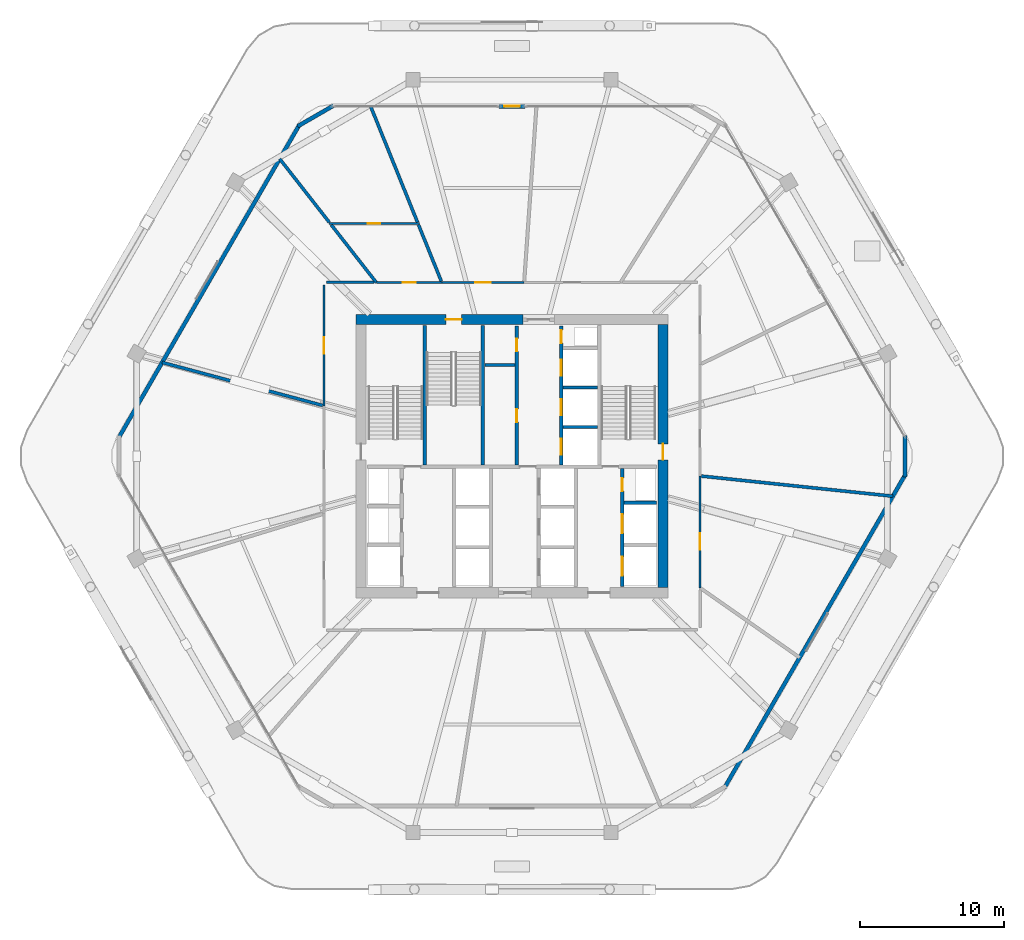
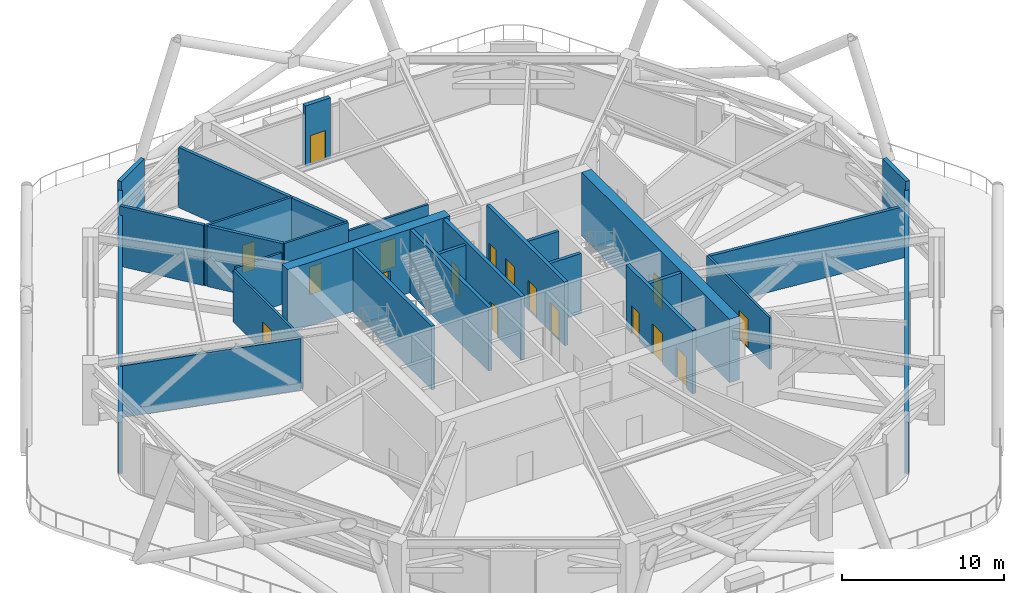
# One storey, part 14 of 20: 28 walls, 17 doors, 17 openings.
"""IFC4 building model written with IfcOpenShell, lengths in metres."""

from ifc_helpers import new_model, si_unit, direction, frame, frame_2d, origin, place, context, subcontext, project, spatial, rectangle, extrude, material, layer, layer_set, type_object, element, fill, save


model = new_model("IFC4")

# Units and contexts
model_context = context("Model", 3, precision=1e-05, world=origin(), true_north=direction((0.0, 1.0)))
body_context = subcontext(model_context, "Body", "Model", "MODEL_VIEW")
ifc_project = project(units=[si_unit("LENGTHUNIT", "METRE"), si_unit("AREAUNIT", "SQUARE_METRE"), si_unit("VOLUMEUNIT", "CUBIC_METRE"), si_unit("PLANEANGLEUNIT", "RADIAN"), si_unit("MASSUNIT", "GRAM", prefix="KILO")], contexts=[model_context])

# Site, building, storey
site_placement = place(None, origin())
site = spatial("IfcSite", under=ifc_project, at=site_placement, CompositionType="ELEMENT")
building_placement = place(site_placement, origin())
building = spatial("IfcBuilding", under=site, at=building_placement, Name="Zuhravey Tower", CompositionType="ELEMENT")
storey_placement = place(building_placement, frame((0.0, 0.0, 145.60009765625)))
storey = spatial("IfcBuildingStorey", under=building, at=storey_placement, Name="L36", CompositionType="ELEMENT", Elevation=145.60009765625)

# Wall, opening, door
ifc_material_1 = material(Name="Concrete C60/75", Category="concrete")
ifc_layer_1 = layer(ifc_material_1, 0.699951171875)
ifc_layer_set_1 = layer_set([ifc_layer_1], Name="Concrete C60/75")
wall_type_1 = type_object("IfcWallType", Name="Core Shear Wall 700", PredefinedType="SHEAR", material=ifc_layer_set_1)
wall_1_placement = place(storey_placement, frame((36.75, 41.5, 0.0), z_axis=(0.0, 0.0, 1.0), x_axis=(-1.0, 0.0, 0.0)))
wall_1 = element("IfcWall", 1, at=wall_1_placement, inside=storey, type_object=wall_type_1, Name="L36 North-West Core Shear Wall CW70", PredefinedType="SHEAR", context=body_context, shape_type="SweptSolid", body=[
    extrude(rectangle(XDim=11.60009765625, YDim=0.699951171875, at=frame_2d((5.800048828125, 0.0))), origin(), (0.0, 0.0, 1.0), 4.7998046875),
])
opening_1_placement = place(wall_1_placement, frame((4.25, 0.0, 0.0)))
opening_1 = element("IfcOpeningElement", 2, at=opening_1_placement, cuts=wall_1, Name="Opening STD1", PredefinedType="OPENING", context=body_context, shape_type="SweptSolid", body=[
    extrude(rectangle(XDim=1.10009765625, YDim=2.14990234375, at=frame_2d((0.550048828125, 1.074951171875))), frame((0.0, 0.362060546875, 0.0), z_axis=(0.0, -1.0, 0.0), x_axis=(1.0, 0.0, 0.0)), (0.0, 0.0, 1.0), 0.723876953125),
])
ifc_material_2 = material(Name="Galvanised fire-rated steel leaf", Category="steel")
door_type_1 = type_object("IfcDoorType", Name="Protected Stair Fire Door 1100x2150", OperationType="NOTDEFINED", PredefinedType="USERDEFINED", material=ifc_material_2)
door_1_placement = place(opening_1_placement, origin())
door_1 = element("IfcDoor", 3, at=door_1_placement, inside=storey, type_object=door_type_1, Name="L36 Stair ST3 Door", ObjectType="EXITDOOR", OperationType="SINGLE_SWING_RIGHT", OverallHeight=2.14990234375, OverallWidth=1.10009765625, PredefinedType="USERDEFINED", context=body_context, shape_type="SweptSolid", body=[
    extrude(rectangle(XDim=1.10009765625, YDim=2.14990234375, at=frame_2d((0.550048828125, 1.074951171875))), frame((0.0, 0.02490234375, 0.0), z_axis=(0.0, -1.0, 0.0), x_axis=(1.0, 0.0, 0.0)), (0.0, 0.0, 1.0), 0.050048828125),
])
fill(opening_1, door_1)

wall_2_placement = place(storey_placement, frame((46.5, 22.85009765625, 0.0), z_axis=(0.0, 0.0, 1.0), x_axis=(0.0, 1.0, 0.0)))
wall_2 = element("IfcWall", 4, at=wall_2_placement, inside=storey, type_object=wall_type_1, Name="L36 East Core Shear Wall CW70", PredefinedType="SHEAR", context=body_context, shape_type="SweptSolid", body=[
    extrude(rectangle(XDim=18.2998046875, YDim=0.699951171875, at=frame_2d((9.14990234375, 0.0))), origin(), (0.0, 0.0, 1.0), 4.7998046875),
])
opening_2_placement = place(wall_2_placement, frame((8.89990234375, 0.0, 0.0)))
opening_2 = element("IfcOpeningElement", 5, at=opening_2_placement, cuts=wall_2, Name="Opening STD1", PredefinedType="OPENING", context=body_context, shape_type="SweptSolid", body=[
    extrude(rectangle(XDim=1.10009765625, YDim=2.14990234375, at=frame_2d((0.550048828125, 1.074951171875))), frame((0.0, 0.362060546875, 0.0), z_axis=(0.0, -1.0, 0.0), x_axis=(1.0, 0.0, 0.0)), (0.0, 0.0, 1.0), 0.723876953125),
])
door_2_placement = place(opening_2_placement, origin())
door_2 = element("IfcDoor", 6, at=door_2_placement, inside=storey, type_object=door_type_1, Name="L36 Stair ST2 Door", ObjectType="EXITDOOR", OperationType="SINGLE_SWING_LEFT", OverallHeight=2.14990234375, OverallWidth=1.10009765625, PredefinedType="USERDEFINED", context=body_context, shape_type="SweptSolid", body=[
    extrude(rectangle(XDim=1.10009765625, YDim=2.14990234375, at=frame_2d((0.550048828125, 1.074951171875))), frame((0.0, 0.02490234375, 0.0), z_axis=(0.0, -1.0, 0.0), x_axis=(1.0, 0.0, 0.0)), (0.0, 0.0, 1.0), 0.050048828125),
])
fill(opening_2, door_2)

ifc_material_3 = material(Name="Gypsum fire-rated stud partition")
ifc_layer_2 = layer(ifc_material_3, 0.159912109375)
ifc_layer_set_2 = layer_set([ifc_layer_2], Name="Gypsum fire-rated stud partition")
wall_type_2 = type_object("IfcWallType", Name="Corridor Fire Partition 160", PredefinedType="PARTITIONING", material=ifc_layer_set_2)
wall_3_placement = place(storey_placement, frame((36.8447265625, 44.080078125, 0.0), z_axis=(0.0, 0.0, 1.0), x_axis=(-1.0, 0.0, 0.0)))
wall_3 = element("IfcWall", 7, at=wall_3_placement, inside=storey, type_object=wall_type_2, Name="L36 IW16 Partition 020", PredefinedType="PARTITIONING", context=body_context, shape_type="SweptSolid", body=[
    extrude(rectangle(XDim=5.725341796875, YDim=0.159912109375, at=frame_2d((2.86279296875, 0.0))), origin(), (0.0, 0.0, 1.0), 3.89990234375),
])
opening_3_placement = place(wall_3_placement, frame((2.312744140625, 0.0, 0.0)))
opening_3 = element("IfcOpeningElement", 8, at=opening_3_placement, cuts=wall_3, Name="Opening STD1", PredefinedType="OPENING", context=body_context, shape_type="SweptSolid", body=[
    extrude(rectangle(XDim=1.10009765625, YDim=2.14990234375, at=frame_2d((0.550048828125, 1.074951171875))), frame((0.0, 0.092041015625, 0.0), z_axis=(0.0, -1.0, 0.0), x_axis=(1.0, 0.0, 0.0)), (0.0, 0.0, 1.0), 0.183837890625),
])
door_3_placement = place(opening_3_placement, frame((1.10009765625, 0.0, 0.0), z_axis=(0.0, 0.0, 1.0), x_axis=(-1.0, 0.0, 0.0)))
door_3 = element("IfcDoor", 9, at=door_3_placement, inside=storey, type_object=door_type_1, Name="L36 Door 020.1", ObjectType="EXITDOOR", OperationType="SINGLE_SWING_LEFT", OverallHeight=2.14990234375, OverallWidth=1.10009765625, PredefinedType="USERDEFINED", context=body_context, shape_type="SweptSolid", body=[
    extrude(rectangle(XDim=1.10009765625, YDim=2.14990234375, at=frame_2d((0.550048828125, 1.074951171875))), frame((0.0, 0.02490234375, 0.0), z_axis=(0.0, -1.0, 0.0), x_axis=(1.0, 0.0, 0.0)), (0.0, 0.0, 1.0), 0.050048828125),
])
fill(opening_3, door_3)

wall_4_placement = place(storey_placement, frame((23.25732421875, 48.179931640625, 0.0), z_axis=(0.0, 0.0, 1.0), x_axis=(1.0, 0.0, 0.0)))
wall_4 = element("IfcWall", 10, at=wall_4_placement, inside=storey, type_object=wall_type_2, Name="L36 IW16 Partition 021", PredefinedType="PARTITIONING", context=body_context, shape_type="SweptSolid", body=[
    extrude(rectangle(XDim=6.291748046875, YDim=0.159912109375, at=frame_2d((3.14599609375, 0.0))), origin(), (0.0, 0.0, 1.0), 4.5498046875),
])
opening_4_placement = place(wall_4_placement, frame((2.69580078125, 0.0, 0.0)))
opening_4 = element("IfcOpeningElement", 11, at=opening_4_placement, cuts=wall_4, Name="Opening RSD1", PredefinedType="OPENING", context=body_context, shape_type="SweptSolid", body=[
    extrude(rectangle(XDim=0.89990234375, YDim=2.10009765625, at=frame_2d((0.449951171875, 1.050048828125))), frame((0.0, 0.092041015625, 0.0), z_axis=(0.0, -1.0, 0.0), x_axis=(1.0, 0.0, 0.0)), (0.0, 0.0, 1.0), 0.183837890625),
])
ifc_material_4 = material(Name="Galvanised fire-rated steel access leaf", Category="steel")
door_type_2 = type_object("IfcDoorType", Name="Riser & Shaft Access Fire Door 900x2100", OperationType="NOTDEFINED", PredefinedType="DOOR", material=ifc_material_4)
door_4_placement = place(opening_4_placement, origin())
door_4 = element("IfcDoor", 12, at=door_4_placement, inside=storey, type_object=door_type_2, Name="L36 Door 021.1", OperationType="SINGLE_SWING_RIGHT", OverallHeight=2.10009765625, OverallWidth=0.89990234375, PredefinedType="DOOR", context=body_context, shape_type="SweptSolid", body=[
    extrude(rectangle(XDim=0.89990234375, YDim=2.10009765625, at=frame_2d((0.449951171875, 1.050048828125))), frame((0.0, 0.02490234375, 0.0), z_axis=(0.0, -1.0, 0.0), x_axis=(1.0, 0.0, 0.0)), (0.0, 0.0, 1.0), 0.050048828125),
])
fill(opening_4, door_4)

wall_5_placement = place(storey_placement, frame((31.119384765625, 44.080078125, 0.0), z_axis=(0.0, 0.0, 1.0), x_axis=(-1.0, 0.0, 0.0)))
wall_5 = element("IfcWall", 13, at=wall_5_placement, inside=storey, type_object=wall_type_2, Name="L36 IW16 Partition 022", PredefinedType="PARTITIONING", context=body_context, shape_type="SweptSolid", body=[
    extrude(rectangle(XDim=4.557373046875, YDim=0.159912109375, at=frame_2d((2.27880859375, 0.0))), origin(), (0.0, 0.0, 1.0), 4.5498046875),
])
opening_5_placement = place(wall_5_placement, frame((1.82861328125, 0.0, 0.0)))
opening_5 = element("IfcOpeningElement", 14, at=opening_5_placement, cuts=wall_5, Name="Opening RSD1", PredefinedType="OPENING", context=body_context, shape_type="SweptSolid", body=[
    extrude(rectangle(XDim=0.89990234375, YDim=2.10009765625, at=frame_2d((0.449951171875, 1.050048828125))), frame((0.0, 0.092041015625, 0.0), z_axis=(0.0, -1.0, 0.0), x_axis=(1.0, 0.0, 0.0)), (0.0, 0.0, 1.0), 0.183837890625),
])
door_5_placement = place(opening_5_placement, frame((0.89990234375, 0.0, 0.0), z_axis=(0.0, 0.0, 1.0), x_axis=(-1.0, 0.0, 0.0)))
door_5 = element("IfcDoor", 15, at=door_5_placement, inside=storey, type_object=door_type_2, Name="L36 Door 022.1", OperationType="SINGLE_SWING_LEFT", OverallHeight=2.10009765625, OverallWidth=0.89990234375, PredefinedType="DOOR", context=body_context, shape_type="SweptSolid", body=[
    extrude(rectangle(XDim=0.89990234375, YDim=2.10009765625, at=frame_2d((0.449951171875, 1.050048828125))), frame((0.0, 0.02490234375, 0.0), z_axis=(0.0, -1.0, 0.0), x_axis=(1.0, 0.0, 0.0)), (0.0, 0.0, 1.0), 0.050048828125),
])
fill(opening_5, door_5)

wall_6_placement = place(storey_placement, frame((22.919921875, 43.89990234375, 0.0), z_axis=(0.0, 0.0, 1.0), x_axis=(0.0, -1.0, 0.0)))
wall_6 = element("IfcWall", 16, at=wall_6_placement, inside=storey, type_object=wall_type_2, Name="L36 IW16 Partition 023", PredefinedType="PARTITIONING", context=body_context, shape_type="SweptSolid", body=[
    extrude(rectangle(XDim=8.39501953125, YDim=0.159912109375, at=frame_2d((4.197509765625, 0.0))), origin(), (0.0, 0.0, 1.0), 3.89990234375),
])
opening_6_placement = place(wall_6_placement, frame((3.62255859375, 0.0, 0.0)))
opening_6 = element("IfcOpeningElement", 17, at=opening_6_placement, cuts=wall_6, Name="Opening CLD1", PredefinedType="OPENING", context=body_context, shape_type="SweptSolid", body=[
    extrude(rectangle(XDim=1.14990234375, YDim=2.199951171875, at=frame_2d((0.574951171875, 1.10009765625))), frame((0.0, 0.092041015625, 0.0), z_axis=(0.0, -1.0, 0.0), x_axis=(1.0, 0.0, 0.0)), (0.0, 0.0, 1.0), 0.183837890625),
])
ifc_material_5 = material(Name="Acoustic timber leaf with vision lite", Category="wood")
door_type_3 = type_object("IfcDoorType", Name="Classroom Acoustic Door 1150x2200", OperationType="NOTDEFINED", PredefinedType="DOOR", material=ifc_material_5)
door_6_placement = place(opening_6_placement, frame((1.14990234375, 0.0, 0.0), z_axis=(0.0, 0.0, 1.0), x_axis=(-1.0, 0.0, 0.0)))
door_6 = element("IfcDoor", 18, at=door_6_placement, inside=storey, type_object=door_type_3, Name="L36 Door 023.1", OperationType="SINGLE_SWING_RIGHT", OverallHeight=2.199951171875, OverallWidth=1.14990234375, PredefinedType="DOOR", context=body_context, shape_type="SweptSolid", body=[
    extrude(rectangle(XDim=1.14990234375, YDim=2.199951171875, at=frame_2d((0.574951171875, 1.10009765625))), frame((0.0, 0.02490234375, 0.0), z_axis=(0.0, -1.0, 0.0), x_axis=(1.0, 0.0, 0.0)), (0.0, 0.0, 1.0), 0.050048828125),
])
fill(opening_6, door_6)

wall_7_placement = place(storey_placement, frame((49.080078125, 22.84130859375, 0.0), z_axis=(0.0, 0.0, 1.0), x_axis=(0.0, 1.0, 0.0)))
wall_7 = element("IfcWall", 19, at=wall_7_placement, inside=storey, type_object=wall_type_2, Name="L36 IW16 Partition 029", PredefinedType="PARTITIONING", context=body_context, shape_type="SweptSolid", body=[
    extrude(rectangle(XDim=7.783935546875, YDim=0.159912109375, at=frame_2d((3.89208984375, 0.0))), origin(), (0.0, 0.0, 1.0), 3.89990234375),
])
opening_7_placement = place(wall_7_placement, frame((2.656982421875, 0.0, 0.0)))
opening_7 = element("IfcOpeningElement", 20, at=opening_7_placement, cuts=wall_7, Name="Opening CLD1", PredefinedType="OPENING", context=body_context, shape_type="SweptSolid", body=[
    extrude(rectangle(XDim=1.14990234375, YDim=2.199951171875, at=frame_2d((0.574951171875, 1.10009765625))), frame((0.0, 0.092041015625, 0.0), z_axis=(0.0, -1.0, 0.0), x_axis=(1.0, 0.0, 0.0)), (0.0, 0.0, 1.0), 0.183837890625),
])
door_7_placement = place(opening_7_placement, frame((1.14990234375, 0.0, 0.0), z_axis=(0.0, 0.0, 1.0), x_axis=(-1.0, 0.0, 0.0)))
door_7 = element("IfcDoor", 21, at=door_7_placement, inside=storey, type_object=door_type_3, Name="L36 Door 029.1", OperationType="SINGLE_SWING_RIGHT", OverallHeight=2.199951171875, OverallWidth=1.14990234375, PredefinedType="DOOR", context=body_context, shape_type="SweptSolid", body=[
    extrude(rectangle(XDim=1.14990234375, YDim=2.199951171875, at=frame_2d((0.574951171875, 1.10009765625))), frame((0.0, 0.02490234375, 0.0), z_axis=(0.0, -1.0, 0.0), x_axis=(1.0, 0.0, 0.0)), (0.0, 0.0, 1.0), 0.050048828125),
])
fill(opening_7, door_7)

# Walls
wall_8_placement = place(storey_placement, frame((26.396728515625, 44.10009765625, 0.0), z_axis=(0.0, 0.0, 1.0), x_axis=(-1.0, 0.0, 0.0)))
element("IfcWall", 22, at=wall_8_placement, inside=storey, type_object=wall_type_2, Name="L36 IW16 Partition 054", PredefinedType="PARTITIONING", context=body_context, shape_type="SweptSolid", body=[
    extrude(rectangle(XDim=3.296630859375, YDim=0.159912109375, at=frame_2d((1.6484375, 0.0))), origin(), (0.0, 0.0, 1.0), 3.89990234375),
])
ifc_material_6 = material(Name="Precast concrete C40/50", Category="concrete")
ifc_layer_3 = layer(ifc_material_6, 0.280029296875)
ifc_layer_set_3 = layer_set([ifc_layer_3], Name="Precast concrete C40/50")
wall_type_3 = type_object("IfcWallType", Name="Crown Architectural Wall 280", PredefinedType="SOLIDWALL", material=ifc_layer_set_3)
for number, where, z_axis, x_axis, name in (
    (23, (63.372802734375, 30.744873046875, 0.0), (0.0, 0.0, 1.0), (-0.499999773564, -0.866025534517, 0.0), "L36 Face 6 Plant Enclosure Wall EW28"),
    (24, (8.627197265625, 33.255126953125, 0.0), (0.0, 0.0, 1.0), (0.499999773564, 0.866025534517, 0.0), "L36 Face 3 Plant Enclosure Wall EW28"),
):
    element("IfcWall", number, at=place(storey_placement, frame(where, z_axis=z_axis, x_axis=x_axis)), inside=storey, type_object=wall_type_3, Name=name, PredefinedType="SOLIDWALL", context=body_context, shape_type="SweptSolid", body=[
        extrude(rectangle(XDim=25.19873046875, YDim=0.280029296875, at=frame_2d((12.599365234375, 0.0))), origin(), (0.0, 0.0, 1.0), 3.869873046875),
    ])
wall_9_placement = place(storey_placement, frame((21.0966796875, 54.947998046875, 0.0), z_axis=(0.0, 0.0, 1.0), x_axis=(0.866011042223, 0.500024874128, 0.0)))
element("IfcWall", 25, at=wall_9_placement, inside=storey, type_object=wall_type_3, Name="L36 Rounded Corner Closure Wall EW28-08", PredefinedType="SOLIDWALL", context=body_context, shape_type="SweptSolid", body=[
    extrude(rectangle(XDim=2.864990234375, YDim=0.280029296875, at=frame_2d((1.4326171875, 0.0))), origin(), (0.0, 0.0, 1.0), 4.5498046875),
])

# Wall, opening, door
wall_10_placement = place(storey_placement, frame((35.10498046875, 56.3330078125, 0.0), z_axis=(0.0, 0.0, 1.0), x_axis=(1.0, 0.0, 0.0)))
wall_10 = element("IfcWall", 26, at=wall_10_placement, inside=storey, type_object=wall_type_3, Name="L36 Face 2 Facade Pier EW28-1", PredefinedType="SOLIDWALL", context=body_context, shape_type="SweptSolid", body=[
    extrude(rectangle(XDim=1.7900390625, YDim=0.280029296875, at=frame_2d((0.89501953125, 0.0))), origin(), (0.0, 0.0, 1.0), 4.5498046875),
])
opening_8_placement = place(wall_10_placement, frame((0.344970703125, 0.0, 0.0)))
opening_8 = element("IfcOpeningElement", 27, at=opening_8_placement, cuts=wall_10, Name="Opening BLD1", PredefinedType="OPENING", context=body_context, shape_type="SweptSolid", body=[
    extrude(rectangle(XDim=1.10009765625, YDim=2.199951171875, at=frame_2d((0.550048828125, 1.10009765625))), frame((0.0, 0.152099609375, 0.0), z_axis=(0.0, -1.0, 0.0), x_axis=(1.0, 0.0, 0.0)), (0.0, 0.0, 1.0), 0.303955078125),
])
ifc_material_7 = material(Name="Thermally broken aluminium and low-E glass", Category="aluminium")
door_type_4 = type_object("IfcDoorType", Name="Balcony & Sky-Tray Glazed Door 1100x2200", OperationType="NOTDEFINED", PredefinedType="DOOR", material=ifc_material_7)
door_8_placement = place(opening_8_placement, frame((1.10009765625, 0.0, 0.0), z_axis=(0.0, 0.0, 1.0), x_axis=(-1.0, 0.0, 0.0)))
door_8 = element("IfcDoor", 28, at=door_8_placement, inside=storey, type_object=door_type_4, Name="L36 Fire Safety Refuge Area North Terrace Door", OperationType="SINGLE_SWING_LEFT", OverallHeight=2.199951171875, OverallWidth=1.10009765625, PredefinedType="DOOR", context=body_context, shape_type="SweptSolid", body=[
    extrude(rectangle(XDim=1.10009765625, YDim=2.199951171875, at=frame_2d((0.550048828125, 1.10009765625))), frame((0.0, 0.02490234375, 0.0), z_axis=(0.0, -1.0, 0.0), x_axis=(1.0, 0.0, 0.0)), (0.0, 0.0, 1.0), 0.050048828125),
])
fill(opening_8, door_8)

# Walls
wall_11_placement = place(storey_placement, frame((63.3251953125, 33.4326171875, 0.0), z_axis=(0.0, 0.0, 1.0), x_axis=(0.0, -1.0, 0.0)))
element("IfcWall", 29, at=wall_11_placement, inside=storey, type_object=wall_type_3, Name="L36 Rounded Corner Closure Wall EW28-12", PredefinedType="SOLIDWALL", context=body_context, shape_type="SweptSolid", body=[
    extrude(rectangle(XDim=2.865234375, YDim=0.280029296875, at=frame_2d((1.4326171875, 0.0))), origin(), (0.0, 0.0, 1.0), 4.5498046875),
])
ifc_material_8 = material(Name="Concrete C50/60", Category="concrete")
ifc_layer_4 = layer(ifc_material_8, 0.25)
ifc_layer_set_4 = layer_set([ifc_layer_4], Name="Concrete C50/60")
wall_type_4 = type_object("IfcWallType", Name="Firefighting Shaft & Stair Wall 250", PredefinedType="SOLIDWALL", material=ifc_layer_set_4)
for number, where, z_axis, x_axis, name in (
    (30, (29.925048828125, 31.39990234375, 0.0), (0.0, 0.0, 1.0), (0.0, 1.0, 0.0), "L36 FW25 Shaft Wall 004"),
    (31, (33.97509765625, 31.39990234375, 0.0), (0.0, 0.0, 1.0), (0.0, 1.0, 0.0), "L36 FW25 Shaft Wall 005"),
):
    element("IfcWall", number, at=place(storey_placement, frame(where, z_axis=z_axis, x_axis=x_axis)), inside=storey, type_object=wall_type_4, Name=name, PredefinedType="SOLIDWALL", context=body_context, shape_type="SweptSolid", body=[
        extrude(rectangle(XDim=9.7001953125, YDim=0.25, at=frame_2d((4.85009765625, 0.0))), origin(), (0.0, 0.0, 1.0), 4.7998046875),
    ])

# Wall, openings, doors
wall_12_placement = place(storey_placement, frame((36.324951171875, 31.39990234375, 0.0), z_axis=(0.0, 0.0, 1.0), x_axis=(0.0, 1.0, 0.0)))
wall_12 = element("IfcWall", 32, at=wall_12_placement, inside=storey, type_object=wall_type_4, Name="L36 FW25 Shaft Wall 007", PredefinedType="SOLIDWALL", context=body_context, shape_type="SweptSolid", body=[
    extrude(rectangle(XDim=9.650146484375, YDim=0.25, at=frame_2d((4.8251953125, 0.0))), origin(), (0.0, 0.0, 1.0), 4.7998046875),
])
opening_9_placement = place(wall_12_placement, frame((2.965087890625, 0.0, 0.0)))
opening_9 = element("IfcOpeningElement", 33, at=opening_9_placement, cuts=wall_12, Name="Opening RSD1", PredefinedType="OPENING", context=body_context, shape_type="SweptSolid", body=[
    extrude(rectangle(XDim=0.89990234375, YDim=2.10009765625, at=frame_2d((0.449951171875, 1.050048828125))), frame((0.0, 0.136962890625, 0.0), z_axis=(0.0, -1.0, 0.0), x_axis=(1.0, 0.0, 0.0)), (0.0, 0.0, 1.0), 0.27392578125),
])
opening_10_placement = place(wall_12_placement, frame((7.885009765625, 0.0, 0.0)))
opening_10 = element("IfcOpeningElement", 34, at=opening_10_placement, cuts=wall_12, Name="Opening RSD1", PredefinedType="OPENING", context=body_context, shape_type="SweptSolid", body=[
    extrude(rectangle(XDim=0.89990234375, YDim=2.10009765625, at=frame_2d((0.449951171875, 1.050048828125))), frame((0.0, 0.136962890625, 0.0), z_axis=(0.0, -1.0, 0.0), x_axis=(1.0, 0.0, 0.0)), (0.0, 0.0, 1.0), 0.27392578125),
])
door_9_placement = place(opening_9_placement, origin())
door_9 = element("IfcDoor", 35, at=door_9_placement, inside=storey, type_object=door_type_2, Name="L36 Equipment and Refuse Store Door", OperationType="SINGLE_SWING_RIGHT", OverallHeight=2.10009765625, OverallWidth=0.89990234375, PredefinedType="DOOR", context=body_context, shape_type="SweptSolid", body=[
    extrude(rectangle(XDim=0.89990234375, YDim=2.10009765625, at=frame_2d((0.449951171875, 1.050048828125))), frame((0.0, 0.02490234375, 0.0), z_axis=(0.0, -1.0, 0.0), x_axis=(1.0, 0.0, 0.0)), (0.0, 0.0, 1.0), 0.050048828125),
])
fill(opening_9, door_9)
door_10_placement = place(opening_10_placement, origin())
door_10 = element("IfcDoor", 36, at=door_10_placement, inside=storey, type_object=door_type_2, Name="L36 BMS Control Room Door", OperationType="SINGLE_SWING_LEFT", OverallHeight=2.10009765625, OverallWidth=0.89990234375, PredefinedType="DOOR", context=body_context, shape_type="SweptSolid", body=[
    extrude(rectangle(XDim=0.89990234375, YDim=2.10009765625, at=frame_2d((0.449951171875, 1.050048828125))), frame((0.0, 0.02490234375, 0.0), z_axis=(0.0, -1.0, 0.0), x_axis=(1.0, 0.0, 0.0)), (0.0, 0.0, 1.0), 0.050048828125),
])
fill(opening_10, door_10)

wall_13_placement = place(storey_placement, frame((39.425048828125, 31.39990234375, 0.0), z_axis=(0.0, 0.0, 1.0), x_axis=(0.0, 1.0, 0.0)))
wall_13 = element("IfcWall", 37, at=wall_13_placement, inside=storey, type_object=wall_type_4, Name="L36 FW25 Shaft Wall 008", PredefinedType="SOLIDWALL", context=body_context, shape_type="SweptSolid", body=[
    extrude(rectangle(XDim=9.650146484375, YDim=0.25, at=frame_2d((4.8251953125, 0.0))), origin(), (0.0, 0.0, 1.0), 4.7998046875),
])
opening_11_placement = place(wall_13_placement, frame((0.699951171875, 0.0, 0.0)))
opening_11 = element("IfcOpeningElement", 38, at=opening_11_placement, cuts=wall_13, Name="Opening LD1", PredefinedType="OPENING", context=body_context, shape_type="SweptSolid", body=[
    extrude(rectangle(XDim=1.10009765625, YDim=2.199951171875, at=frame_2d((0.550048828125, 1.10009765625))), frame((0.0, 0.136962890625, 0.0), z_axis=(0.0, -1.0, 0.0), x_axis=(1.0, 0.0, 0.0)), (0.0, 0.0, 1.0), 0.27392578125),
])
opening_12_placement = place(wall_13_placement, frame((3.449951171875, 0.0, 0.0)))
opening_12 = element("IfcOpeningElement", 39, at=opening_12_placement, cuts=wall_13, Name="Opening LD1", PredefinedType="OPENING", context=body_context, shape_type="SweptSolid", body=[
    extrude(rectangle(XDim=1.10009765625, YDim=2.199951171875, at=frame_2d((0.550048828125, 1.10009765625))), frame((0.0, 0.136962890625, 0.0), z_axis=(0.0, -1.0, 0.0), x_axis=(1.0, 0.0, 0.0)), (0.0, 0.0, 1.0), 0.27392578125),
])
opening_13_placement = place(wall_13_placement, frame((6.199951171875, 0.0, 0.0)))
opening_13 = element("IfcOpeningElement", 40, at=opening_13_placement, cuts=wall_13, Name="Opening LD1", PredefinedType="OPENING", context=body_context, shape_type="SweptSolid", body=[
    extrude(rectangle(XDim=1.10009765625, YDim=2.199951171875, at=frame_2d((0.550048828125, 1.10009765625))), frame((0.0, 0.136962890625, 0.0), z_axis=(0.0, -1.0, 0.0), x_axis=(1.0, 0.0, 0.0)), (0.0, 0.0, 1.0), 0.27392578125),
])
opening_14_placement = place(wall_13_placement, frame((8.469970703125, 0.0, 0.0)))
opening_14 = element("IfcOpeningElement", 41, at=opening_14_placement, cuts=wall_13, Name="Opening RSD1", PredefinedType="OPENING", context=body_context, shape_type="SweptSolid", body=[
    extrude(rectangle(XDim=0.89990234375, YDim=2.10009765625, at=frame_2d((0.449951171875, 1.050048828125))), frame((0.0, 0.136962890625, 0.0), z_axis=(0.0, -1.0, 0.0), x_axis=(1.0, 0.0, 0.0)), (0.0, 0.0, 1.0), 0.27392578125),
])
ifc_material_9 = material(Name="Brushed stainless steel", Category="steel")
door_type_5 = type_object("IfcDoorType", Name="Lift Landing Sliding Door 1100x2200", OperationType="DOUBLE_DOOR_SLIDING", PredefinedType="DOOR", material=ifc_material_9)
door_11_placement = place(opening_11_placement, origin())
door_11 = element("IfcDoor", 42, at=door_11_placement, inside=storey, type_object=door_type_5, Name="L36 Lift PL7 Landing Door", OperationType="DOUBLE_DOOR_SLIDING", OverallHeight=2.199951171875, OverallWidth=1.10009765625, PredefinedType="DOOR", context=body_context, shape_type="SweptSolid", body=[
    extrude(rectangle(XDim=1.10009765625, YDim=2.199951171875, at=frame_2d((0.550048828125, 1.10009765625))), frame((0.0, 0.02490234375, 0.0), z_axis=(0.0, -1.0, 0.0), x_axis=(1.0, 0.0, 0.0)), (0.0, 0.0, 1.0), 0.050048828125),
])
fill(opening_11, door_11)
door_12_placement = place(opening_12_placement, origin())
door_12 = element("IfcDoor", 43, at=door_12_placement, inside=storey, type_object=door_type_5, Name="L36 Lift PL8 Landing Door", OperationType="DOUBLE_DOOR_SLIDING", OverallHeight=2.199951171875, OverallWidth=1.10009765625, PredefinedType="DOOR", context=body_context, shape_type="SweptSolid", body=[
    extrude(rectangle(XDim=1.10009765625, YDim=2.199951171875, at=frame_2d((0.550048828125, 1.10009765625))), frame((0.0, 0.02490234375, 0.0), z_axis=(0.0, -1.0, 0.0), x_axis=(1.0, 0.0, 0.0)), (0.0, 0.0, 1.0), 0.050048828125),
])
fill(opening_12, door_12)
door_13_placement = place(opening_13_placement, origin())
door_13 = element("IfcDoor", 44, at=door_13_placement, inside=storey, type_object=door_type_5, Name="L36 Lift PL9 Landing Door", OperationType="DOUBLE_DOOR_SLIDING", OverallHeight=2.199951171875, OverallWidth=1.10009765625, PredefinedType="DOOR", context=body_context, shape_type="SweptSolid", body=[
    extrude(rectangle(XDim=1.10009765625, YDim=2.199951171875, at=frame_2d((0.550048828125, 1.10009765625))), frame((0.0, 0.02490234375, 0.0), z_axis=(0.0, -1.0, 0.0), x_axis=(1.0, 0.0, 0.0)), (0.0, 0.0, 1.0), 0.050048828125),
])
fill(opening_13, door_13)
door_14_placement = place(opening_14_placement, origin())
door_14 = element("IfcDoor", 45, at=door_14_placement, inside=storey, type_object=door_type_2, Name="L36 North Riser Door", OperationType="SINGLE_SWING_RIGHT", OverallHeight=2.10009765625, OverallWidth=0.89990234375, PredefinedType="DOOR", context=body_context, shape_type="SweptSolid", body=[
    extrude(rectangle(XDim=0.89990234375, YDim=2.10009765625, at=frame_2d((0.449951171875, 1.050048828125))), frame((0.0, 0.02490234375, 0.0), z_axis=(0.0, -1.0, 0.0), x_axis=(1.0, 0.0, 0.0)), (0.0, 0.0, 1.0), 0.050048828125),
])
fill(opening_14, door_14)

# Wall
wall_14_placement = place(storey_placement, frame((43.800048828125, 28.77490234375, 0.0), z_axis=(0.0, 0.0, 1.0), x_axis=(1.0, 0.0, 0.0)))
element("IfcWall", 46, at=wall_14_placement, inside=storey, type_object=wall_type_4, Name="L36 FW25 Shaft Wall 017", PredefinedType="SOLIDWALL", context=body_context, shape_type="SweptSolid", body=[
    extrude(rectangle(XDim=2.25, YDim=0.25, at=frame_2d((1.125, 0.0))), origin(), (0.0, 0.0, 1.0), 4.7998046875),
])

# Wall, openings, doors
wall_15_placement = place(storey_placement, frame((43.675048828125, 22.949951171875, 0.0), z_axis=(0.0, 0.0, 1.0), x_axis=(0.0, 1.0, 0.0)))
wall_15 = element("IfcWall", 47, at=wall_15_placement, inside=storey, type_object=wall_type_4, Name="L36 FW25 Shaft Wall 018", PredefinedType="SOLIDWALL", context=body_context, shape_type="SweptSolid", body=[
    extrude(rectangle(XDim=8.199951171875, YDim=0.25, at=frame_2d((4.10009765625, 0.0))), origin(), (0.0, 0.0, 1.0), 4.7998046875),
])
opening_15_placement = place(wall_15_placement, frame((0.75, 0.0, 0.0)))
opening_15 = element("IfcOpeningElement", 48, at=opening_15_placement, cuts=wall_15, Name="Opening LD2", PredefinedType="OPENING", context=body_context, shape_type="SweptSolid", body=[
    extrude(rectangle(XDim=1.300048828125, YDim=2.300048828125, at=frame_2d((0.64990234375, 1.14990234375))), frame((0.0, 0.136962890625, 0.0), z_axis=(0.0, -1.0, 0.0), x_axis=(1.0, 0.0, 0.0)), (0.0, 0.0, 1.0), 0.27392578125),
])
opening_16_placement = place(wall_15_placement, frame((3.699951171875, 0.0, 0.0)))
opening_16 = element("IfcOpeningElement", 49, at=opening_16_placement, cuts=wall_15, Name="Opening LD2", PredefinedType="OPENING", context=body_context, shape_type="SweptSolid", body=[
    extrude(rectangle(XDim=1.300048828125, YDim=2.300048828125, at=frame_2d((0.64990234375, 1.14990234375))), frame((0.0, 0.136962890625, 0.0), z_axis=(0.0, -1.0, 0.0), x_axis=(1.0, 0.0, 0.0)), (0.0, 0.0, 1.0), 0.27392578125),
])
opening_17_placement = place(wall_15_placement, frame((6.6201171875, 0.0, 0.0)))
opening_17 = element("IfcOpeningElement", 50, at=opening_17_placement, cuts=wall_15, Name="Opening RSD1", PredefinedType="OPENING", context=body_context, shape_type="SweptSolid", body=[
    extrude(rectangle(XDim=0.89990234375, YDim=2.10009765625, at=frame_2d((0.449951171875, 1.050048828125))), frame((0.0, 0.136962890625, 0.0), z_axis=(0.0, -1.0, 0.0), x_axis=(1.0, 0.0, 0.0)), (0.0, 0.0, 1.0), 0.27392578125),
])
door_type_6 = type_object("IfcDoorType", Name="Freight & Stretcher Lift Sliding Door 1300x2300", OperationType="DOUBLE_DOOR_SLIDING", PredefinedType="DOOR", material=ifc_material_9)
door_15_placement = place(opening_15_placement, origin())
door_15 = element("IfcDoor", 51, at=door_15_placement, inside=storey, type_object=door_type_6, Name="L36 Lift FF2 Landing Door", OperationType="DOUBLE_DOOR_SLIDING", OverallHeight=2.300048828125, OverallWidth=1.300048828125, PredefinedType="DOOR", context=body_context, shape_type="SweptSolid", body=[
    extrude(rectangle(XDim=1.300048828125, YDim=2.300048828125, at=frame_2d((0.64990234375, 1.14990234375))), frame((0.0, 0.02490234375, 0.0), z_axis=(0.0, -1.0, 0.0), x_axis=(1.0, 0.0, 0.0)), (0.0, 0.0, 1.0), 0.050048828125),
])
fill(opening_15, door_15)
door_16_placement = place(opening_16_placement, origin())
door_16 = element("IfcDoor", 52, at=door_16_placement, inside=storey, type_object=door_type_6, Name="L36 Lift SV1 Landing Door", OperationType="DOUBLE_DOOR_SLIDING", OverallHeight=2.300048828125, OverallWidth=1.300048828125, PredefinedType="DOOR", context=body_context, shape_type="SweptSolid", body=[
    extrude(rectangle(XDim=1.300048828125, YDim=2.300048828125, at=frame_2d((0.64990234375, 1.14990234375))), frame((0.0, 0.02490234375, 0.0), z_axis=(0.0, -1.0, 0.0), x_axis=(1.0, 0.0, 0.0)), (0.0, 0.0, 1.0), 0.050048828125),
])
fill(opening_16, door_16)
door_17_placement = place(opening_17_placement, origin())
door_17 = element("IfcDoor", 53, at=door_17_placement, inside=storey, type_object=door_type_2, Name="L36 Plumbing Riser Door", OperationType="SINGLE_SWING_LEFT", OverallHeight=2.10009765625, OverallWidth=0.89990234375, PredefinedType="DOOR", context=body_context, shape_type="SweptSolid", body=[
    extrude(rectangle(XDim=0.89990234375, YDim=2.10009765625, at=frame_2d((0.449951171875, 1.050048828125))), frame((0.0, 0.02490234375, 0.0), z_axis=(0.0, -1.0, 0.0), x_axis=(1.0, 0.0, 0.0)), (0.0, 0.0, 1.0), 0.050048828125),
])
fill(opening_17, door_17)

# Walls
ifc_material_10 = material(Name="Gypsum acoustic stud assembly")
ifc_layer_5 = layer(ifc_material_10, 0.219970703125)
ifc_layer_set_5 = layer_set([ifc_layer_5], Name="Gypsum acoustic stud assembly")
wall_type_5 = type_object("IfcWallType", Name="School Acoustic Compartment Wall 220", PredefinedType="PARTITIONING", material=ifc_layer_set_5)
wall_16_placement = place(storey_placement, frame((34.10791015625, 38.35009765625, 0.0), z_axis=(0.0, 0.0, 1.0), x_axis=(1.0, 0.0, 0.0)))
element("IfcWall", 54, at=wall_16_placement, inside=storey, type_object=wall_type_5, Name="L36 IW22 Partition 032", PredefinedType="PARTITIONING", context=body_context, shape_type="SweptSolid", body=[
    extrude(rectangle(XDim=2.083984375, YDim=0.219970703125, at=frame_2d((1.0419921875, 0.0))), origin(), (0.0, 0.0, 1.0), 4.5498046875),
])
for number, where, z_axis, x_axis, name in (
    (55, (39.55810546875, 34.02490234375, 0.0), (0.0, 0.0, 1.0), (1.0, 0.0, 0.0), "L36 IW22 Partition 033"),
    (56, (39.55810546875, 36.77490234375, 0.0), (0.0, 0.0, 1.0), (1.0, 0.0, 0.0), "L36 IW22 Partition 034"),
):
    element("IfcWall", number, at=place(storey_placement, frame(where, z_axis=z_axis, x_axis=x_axis)), inside=storey, type_object=wall_type_5, Name=name, PredefinedType="PARTITIONING", context=body_context, shape_type="SweptSolid", body=[
        extrude(rectangle(XDim=2.3837890625, YDim=0.219970703125, at=frame_2d((1.19189453125, 0.0))), origin(), (0.0, 0.0, 1.0), 4.5498046875),
    ])
wall_17_placement = place(storey_placement, frame((31.083740234375, 44.16796875, 0.0), z_axis=(0.0, 0.0, 1.0), x_axis=(-0.374610881622, 0.927182122007, 0.0)))
element("IfcWall", 57, at=wall_17_placement, inside=storey, type_object=wall_type_5, Name="L36 IW22 Partition 042", PredefinedType="PARTITIONING", context=body_context, shape_type="SweptSolid", body=[
    extrude(rectangle(XDim=4.232177734375, YDim=0.219970703125, at=frame_2d((2.1162109375, 0.0))), origin(), (0.0, 0.0, 1.0), 4.5498046875),
])
wall_18_placement = place(storey_placement, frame((29.42724609375, 48.26806640625, 0.0), z_axis=(0.0, 0.0, 1.0), x_axis=(-0.374616188327, 0.927179977913, 0.0)))
element("IfcWall", 58, at=wall_18_placement, inside=storey, type_object=wall_type_5, Name="L36 IW22 Partition 043", PredefinedType="PARTITIONING", context=body_context, shape_type="SweptSolid", body=[
    extrude(rectangle(XDim=8.6982421875, YDim=0.219970703125, at=frame_2d((4.34912109375, 0.0))), origin(), (0.0, 0.0, 1.0), 4.5498046875),
])
wall_19_placement = place(storey_placement, frame((26.56201171875, 44.080078125, 0.0), z_axis=(0.0, 0.0, 1.0), x_axis=(-0.615665444552, 0.788007652491, 0.0)))
element("IfcWall", 59, at=wall_19_placement, inside=storey, type_object=wall_type_5, Name="L36 IW22 Partition 044", PredefinedType="PARTITIONING", context=body_context, shape_type="SweptSolid", body=[
    extrude(rectangle(XDim=5.09130859375, YDim=0.219970703125, at=frame_2d((2.545654296875, 0.0))), origin(), (0.0, 0.0, 1.0), 4.5498046875),
])
wall_20_placement = place(storey_placement, frame((23.2900390625, 48.26806640625, 0.0), z_axis=(0.0, 0.0, 1.0), x_axis=(-0.615662655357, 0.788009831664, 0.0)))
element("IfcWall", 60, at=wall_20_placement, inside=storey, type_object=wall_type_5, Name="L36 IW22 Partition 045", PredefinedType="PARTITIONING", context=body_context, shape_type="SweptSolid", body=[
    extrude(rectangle(XDim=5.599609375, YDim=0.219970703125, at=frame_2d((2.7998046875, 0.0))), origin(), (0.0, 0.0, 1.0), 4.5498046875),
])
wall_21_placement = place(storey_placement, frame((22.83203125, 35.5283203125, 0.0), z_axis=(0.0, 0.0, 1.0), x_axis=(-0.965925047265, 0.258821952444, 0.0)))
element("IfcWall", 61, at=wall_21_placement, inside=storey, type_object=wall_type_5, Name="L36 IW22 Partition 046", PredefinedType="PARTITIONING", context=body_context, shape_type="SweptSolid", body=[
    extrude(rectangle(XDim=11.558837890625, YDim=0.219970703125, at=frame_2d((5.779296875, 0.0))), origin(), (0.0, 0.0, 1.0), 3.89990234375),
])
wall_22_placement = place(storey_placement, frame((49.16796875, 30.615966796875, 0.0), z_axis=(0.0, 0.0, 1.0), x_axis=(0.994522317503, -0.104524446843, 0.0)))
element("IfcWall", 62, at=wall_22_placement, inside=storey, type_object=wall_type_5, Name="L36 IW22 Partition 052", PredefinedType="PARTITIONING", context=body_context, shape_type="SweptSolid", body=[
    extrude(rectangle(XDim=13.3955078125, YDim=0.219970703125, at=frame_2d((6.69775390625, 0.0))), origin(), (0.0, 0.0, 1.0), 3.869873046875),
])

save(model, "model.ifc")
